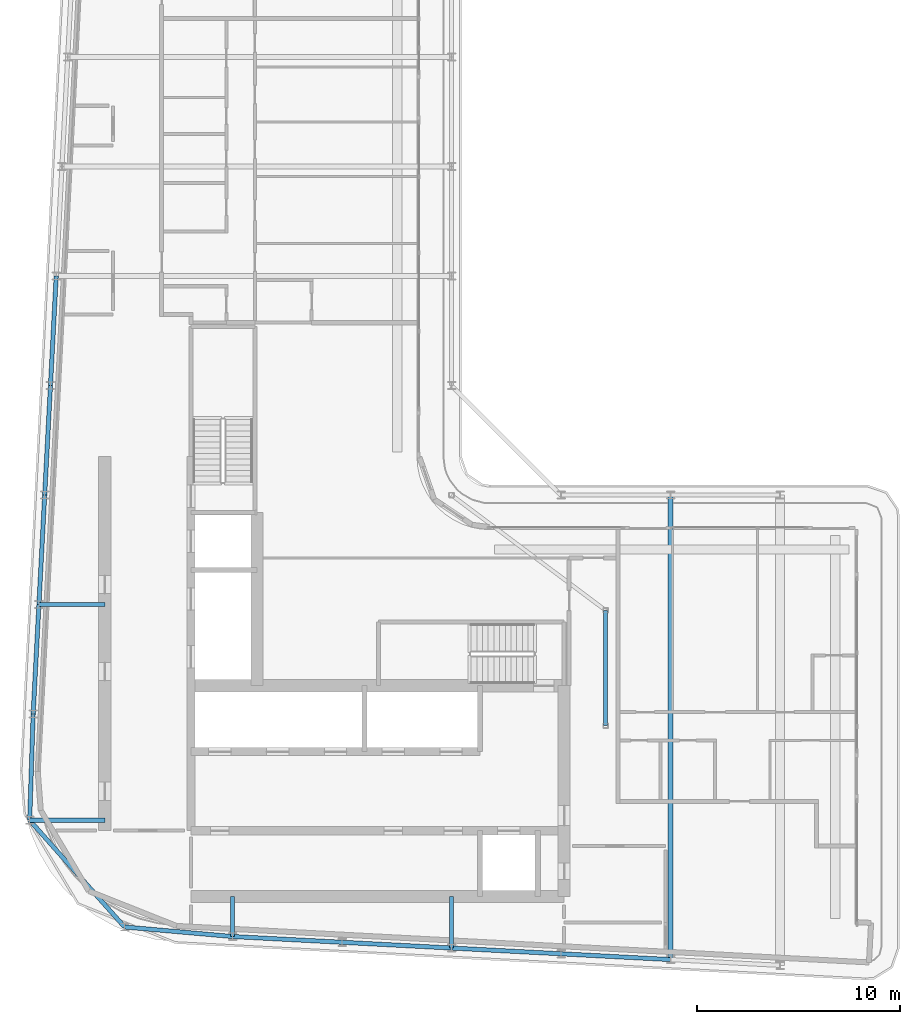
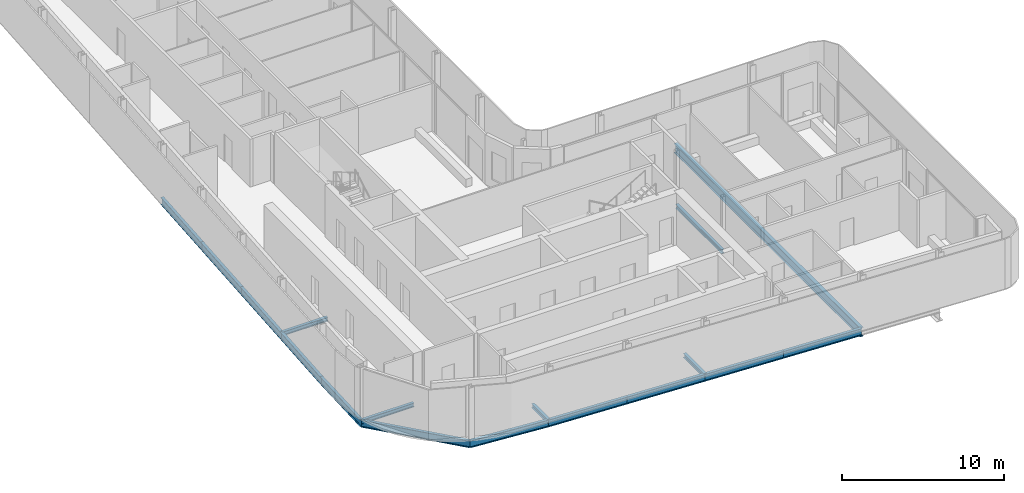
# One storey, part 5 of 21: 17 beams.
"""IFC4 building model written with IfcOpenShell, lengths in metres."""

from ifc_helpers import new_model, si_unit, direction, frame, origin, origin_2d, place, context, subcontext, project, spatial, i_section, extrude, material, material_profile, profile_set, type_object, element, save


model = new_model("IFC4")

# Units and contexts
model_context = context("Model", 3, precision=1e-05, world=origin(), true_north=direction((0.0, 1.0)))
body_context = subcontext(model_context, "Body", "Model", "MODEL_VIEW")
ifc_project = project(units=[si_unit("LENGTHUNIT", "METRE"), si_unit("AREAUNIT", "SQUARE_METRE"), si_unit("VOLUMEUNIT", "CUBIC_METRE"), si_unit("PLANEANGLEUNIT", "RADIAN"), si_unit("MASSUNIT", "GRAM", prefix="KILO")], contexts=[model_context])

# Site, building, storey
site_placement = place(None, origin())
site = spatial("IfcSite", under=ifc_project, at=site_placement, CompositionType="ELEMENT")
building_placement = place(site_placement, origin())
building = spatial("IfcBuilding", under=site, at=building_placement, Name="Kheshtan School and Residences Tower", CompositionType="ELEMENT")
storey_placement = place(building_placement, frame((0.0, 0.0, 313.699951171875)))
storey = spatial("IfcBuildingStorey", under=building, at=storey_placement, Name="L74", CompositionType="ELEMENT", Elevation=313.699951171875)

# Beams
ifc_material = material(Name="Steel ASTM A992 Grade 50", Category="steel")
ifc_material_profile_1 = material_profile(ifc_material, i_section(OverallWidth=0.202880859375, OverallDepth=0.302978515625, WebThickness=0.007568359375, FlangeThickness=0.01318359375, FilletRadius=0.009033203125, at=origin_2d()), Name="W310x60")
ifc_profile_set_1 = profile_set([ifc_material_profile_1], Name="Steel ASTM A992 Grade 50")
beam_type_1 = type_object("IfcBeamType", Name="Beam FB1 W310x60 ASTM A992 Grade 50", PredefinedType="BEAM", material=ifc_profile_set_1)
beam_1_placement = place(storey_placement, frame((47.60009765625, 23.263916015625, -0.301513671875), z_axis=(0.0, 1.0, 0.0), x_axis=(-1.0, 0.0, 0.0)))
element("IfcBeam", 1, at=beam_1_placement, inside=storey, type_object=beam_type_1, Name="Floor beam C020", PredefinedType="BEAM", context=body_context, shape_type="SweptSolid", body=[
    extrude(i_section(OverallWidth=0.202880859375, OverallDepth=0.302978515625, WebThickness=0.007568359375, FlangeThickness=0.01318359375, FilletRadius=0.009033203125, at=origin_2d()), origin(), (0.0, 0.0, 1.0), 2.5361328125),
])
beam_2_placement = place(storey_placement, frame((36.800048828125, 23.83203125, -0.301513671875), z_axis=(0.0, 1.0, 0.0), x_axis=(-1.0, 0.0, 0.0)))
element("IfcBeam", 2, at=beam_2_placement, inside=storey, type_object=beam_type_1, Name="Floor beam C022", PredefinedType="BEAM", context=body_context, shape_type="SweptSolid", body=[
    extrude(i_section(OverallWidth=0.202880859375, OverallDepth=0.302978515625, WebThickness=0.007568359375, FlangeThickness=0.01318359375, FilletRadius=0.009033203125, at=origin_2d()), origin(), (0.0, 0.0, 1.0), 1.968017578125),
])
beam_3_placement = place(storey_placement, frame((26.797119140625, 29.56591796875, -0.301513671875), z_axis=(1.0, 0.0, 0.0), x_axis=(0.0, 1.0, 0.0)))
element("IfcBeam", 3, at=beam_3_placement, inside=storey, type_object=beam_type_1, Name="Floor beam C044", PredefinedType="BEAM", context=body_context, shape_type="SweptSolid", body=[
    extrude(i_section(OverallWidth=0.202880859375, OverallDepth=0.302978515625, WebThickness=0.007568359375, FlangeThickness=0.01318359375, FilletRadius=0.009033203125, at=origin_2d()), origin(), (0.0, 0.0, 1.0), 3.702880859375),
])
beam_4_placement = place(storey_placement, frame((27.2529296875, 40.199951171875, -0.301513671875), z_axis=(1.0, 0.0, 0.0), x_axis=(0.0, 1.0, 0.0)))
element("IfcBeam", 4, at=beam_4_placement, inside=storey, type_object=beam_type_1, Name="Floor beam C056", PredefinedType="BEAM", context=body_context, shape_type="SweptSolid", body=[
    extrude(i_section(OverallWidth=0.202880859375, OverallDepth=0.302978515625, WebThickness=0.007568359375, FlangeThickness=0.01318359375, FilletRadius=0.009033203125, at=origin_2d()), origin(), (0.0, 0.0, 1.0), 3.2470703125),
])
beam_5_placement = place(storey_placement, frame((55.199951171875, 34.23193359375, -0.301513671875), z_axis=(0.0, 1.0, 0.0), x_axis=(-1.0, 0.0, 0.0)))
element("IfcBeam", 5, at=beam_5_placement, inside=storey, type_object=beam_type_1, Name="Floor beam IC", PredefinedType="BEAM", context=body_context, shape_type="SweptSolid", body=[
    extrude(i_section(OverallWidth=0.202880859375, OverallDepth=0.302978515625, WebThickness=0.007568359375, FlangeThickness=0.01318359375, FilletRadius=0.009033203125, at=origin_2d()), origin(), (0.0, 0.0, 1.0), 5.68408203125),
])
ifc_material_profile_2 = material_profile(ifc_material, i_section(OverallWidth=0.2529296875, OverallDepth=0.677978515625, WebThickness=0.01171875, FlangeThickness=0.016357421875, FilletRadius=0.0146484375, at=origin_2d()), Name="W690x125")
ifc_profile_set_2 = profile_set([ifc_material_profile_2], Name="Steel ASTM A992 Grade 50")
beam_type_2 = type_object("IfcBeamType", Name="Beam FB6 W690x125 ASTM A992 Grade 50", PredefinedType="BEAM", material=ifc_profile_set_2)
beam_6_placement = place(storey_placement, frame((58.39990234375, 22.695068359375, -0.489013671875), z_axis=(0.0, 1.0, 0.0), x_axis=(-1.0, 0.0, 0.0)))
element("IfcBeam", 6, at=beam_6_placement, inside=storey, type_object=beam_type_2, Name="Floor beam C018", PredefinedType="BEAM", context=body_context, shape_type="SweptSolid", body=[
    extrude(i_section(OverallWidth=0.2529296875, OverallDepth=0.677978515625, WebThickness=0.01171875, FlangeThickness=0.016357421875, FilletRadius=0.0146484375, at=origin_2d()), origin(), (0.0, 0.0, 1.0), 22.905029296875),
])
ifc_material_profile_3 = material_profile(ifc_material, i_section(OverallWidth=0.208984375, OverallDepth=0.532958984375, WebThickness=0.01025390625, FlangeThickness=0.015625, FilletRadius=0.013916015625, at=origin_2d()), Name="W530x92")
ifc_profile_set_3 = profile_set([ifc_material_profile_3], Name="Steel ASTM A992 Grade 50")
beam_type_3 = type_object("IfcBeamType", Name="Beam SP3 W530x92 ASTM A992 Grade 50", PredefinedType="BEAM", material=ifc_profile_set_3)
for number, where, z_axis, x_axis, name in (
    (7, (58.39990234375, 22.695068359375, -0.41650390625), (-0.998610961136, 0.052689166816, 0.0), (-0.052689166816, -0.998610961136, 0.0), "Spandrel beam C018-C019"),
    (8, (53.0, 22.97998046875, -0.41650390625), (-0.998620447272, 0.05250906864, 0.0), (-0.05250906864, -0.998620447272, 0.0), "Spandrel beam C019-C020"),
):
    element("IfcBeam", number, at=place(storey_placement, frame(where, z_axis=z_axis, x_axis=x_axis)), inside=storey, type_object=beam_type_3, Name=name, PredefinedType="BEAM", context=body_context, shape_type="SweptSolid", body=[
        extrude(i_section(OverallWidth=0.208984375, OverallDepth=0.532958984375, WebThickness=0.01025390625, FlangeThickness=0.015625, FilletRadius=0.013916015625, at=origin_2d()), origin(), (0.0, 0.0, 1.0), 5.407470703125),
    ])
beam_7_placement = place(storey_placement, frame((47.60009765625, 23.263916015625, -0.41650390625), z_axis=(-0.998618203458, 0.052551724256, 0.0), x_axis=(-0.052551724256, -0.998618203458, 0.0)))
element("IfcBeam", 9, at=beam_7_placement, inside=storey, type_object=beam_type_3, Name="Spandrel beam C020-C021", PredefinedType="BEAM", context=body_context, shape_type="SweptSolid", body=[
    extrude(i_section(OverallWidth=0.208984375, OverallDepth=0.532958984375, WebThickness=0.01025390625, FlangeThickness=0.015625, FilletRadius=0.013916015625, at=origin_2d()), origin(), (0.0, 0.0, 1.0), 5.40771484375),
])
beam_8_placement = place(storey_placement, frame((42.199951171875, 23.548095703125, -0.41650390625), z_axis=(-0.998620447272, 0.05250906864, 0.0), x_axis=(-0.05250906864, -0.998620447272, 0.0)))
element("IfcBeam", 10, at=beam_8_placement, inside=storey, type_object=beam_type_3, Name="Spandrel beam C021-C022", PredefinedType="BEAM", context=body_context, shape_type="SweptSolid", body=[
    extrude(i_section(OverallWidth=0.208984375, OverallDepth=0.532958984375, WebThickness=0.01025390625, FlangeThickness=0.015625, FilletRadius=0.013916015625, at=origin_2d()), origin(), (0.0, 0.0, 1.0), 5.407470703125),
])
beam_9_placement = place(storey_placement, frame((36.800048828125, 23.83203125, -0.41650390625), z_axis=(-0.996129262073, 0.087900473504, 0.0), x_axis=(-0.087900473504, -0.996129262073, 0.0)))
element("IfcBeam", 11, at=beam_9_placement, inside=storey, type_object=beam_type_3, Name="Spandrel beam C022-C031", PredefinedType="BEAM", context=body_context, shape_type="SweptSolid", body=[
    extrude(i_section(OverallWidth=0.208984375, OverallDepth=0.532958984375, WebThickness=0.01025390625, FlangeThickness=0.015625, FilletRadius=0.013916015625, at=origin_2d()), origin(), (0.0, 0.0, 1.0), 5.3466796875),
])
beam_10_placement = place(storey_placement, frame((31.47412109375, 24.302001953125, -0.41650390625), z_axis=(-0.664202421408, 0.747552769639, 0.0), x_axis=(-0.747552769639, -0.664202421408, 0.0)))
element("IfcBeam", 12, at=beam_10_placement, inside=storey, type_object=beam_type_3, Name="Spandrel beam C031-C044", PredefinedType="BEAM", context=body_context, shape_type="SweptSolid", body=[
    extrude(i_section(OverallWidth=0.208984375, OverallDepth=0.532958984375, WebThickness=0.01025390625, FlangeThickness=0.015625, FilletRadius=0.013916015625, at=origin_2d()), origin(), (0.0, 0.0, 1.0), 7.04150390625),
])
beam_11_placement = place(storey_placement, frame((26.797119140625, 29.56591796875, -0.41650390625), z_axis=(0.032819662671, 0.999461289767, 0.0), x_axis=(-0.999461289767, 0.032819662671, 0.0)))
element("IfcBeam", 13, at=beam_11_placement, inside=storey, type_object=beam_type_3, Name="Spandrel beam C044-C052", PredefinedType="BEAM", context=body_context, shape_type="SweptSolid", body=[
    extrude(i_section(OverallWidth=0.208984375, OverallDepth=0.532958984375, WebThickness=0.01025390625, FlangeThickness=0.015625, FilletRadius=0.013916015625, at=origin_2d()), origin(), (0.0, 0.0, 1.0), 5.237060546875),
])
beam_12_placement = place(storey_placement, frame((26.968994140625, 34.800048828125, -0.41650390625), z_axis=(0.05250906864, 0.998620447272, 0.0), x_axis=(-0.998620447272, 0.05250906864, 0.0)))
element("IfcBeam", 14, at=beam_12_placement, inside=storey, type_object=beam_type_3, Name="Spandrel beam C052-C056", PredefinedType="BEAM", context=body_context, shape_type="SweptSolid", body=[
    extrude(i_section(OverallWidth=0.208984375, OverallDepth=0.532958984375, WebThickness=0.01025390625, FlangeThickness=0.015625, FilletRadius=0.013916015625, at=origin_2d()), origin(), (0.0, 0.0, 1.0), 5.407470703125),
])
beam_13_placement = place(storey_placement, frame((27.2529296875, 40.199951171875, -0.41650390625), z_axis=(0.052551724256, 0.998618203458, 0.0), x_axis=(-0.998618203458, 0.052551724256, 0.0)))
element("IfcBeam", 15, at=beam_13_placement, inside=storey, type_object=beam_type_3, Name="Spandrel beam C056-C059", PredefinedType="BEAM", context=body_context, shape_type="SweptSolid", body=[
    extrude(i_section(OverallWidth=0.208984375, OverallDepth=0.532958984375, WebThickness=0.01025390625, FlangeThickness=0.015625, FilletRadius=0.013916015625, at=origin_2d()), origin(), (0.0, 0.0, 1.0), 5.40771484375),
])
for number, where, z_axis, x_axis, name in (
    (16, (27.537109375, 45.60009765625, -0.41650390625), (0.052689166816, 0.998610961136, 0.0), (-0.998610961136, 0.052689166816, 0.0), "Spandrel beam C059-C078"),
    (17, (27.822021484375, 51.0, -0.41650390625), (0.05250906864, 0.998620447272, 0.0), (-0.998620447272, 0.05250906864, 0.0), "Spandrel beam C078-C080"),
):
    element("IfcBeam", number, at=place(storey_placement, frame(where, z_axis=z_axis, x_axis=x_axis)), inside=storey, type_object=beam_type_3, Name=name, PredefinedType="BEAM", context=body_context, shape_type="SweptSolid", body=[
        extrude(i_section(OverallWidth=0.208984375, OverallDepth=0.532958984375, WebThickness=0.01025390625, FlangeThickness=0.015625, FilletRadius=0.013916015625, at=origin_2d()), origin(), (0.0, 0.0, 1.0), 5.407470703125),
    ])

save(model, "model.ifc")
